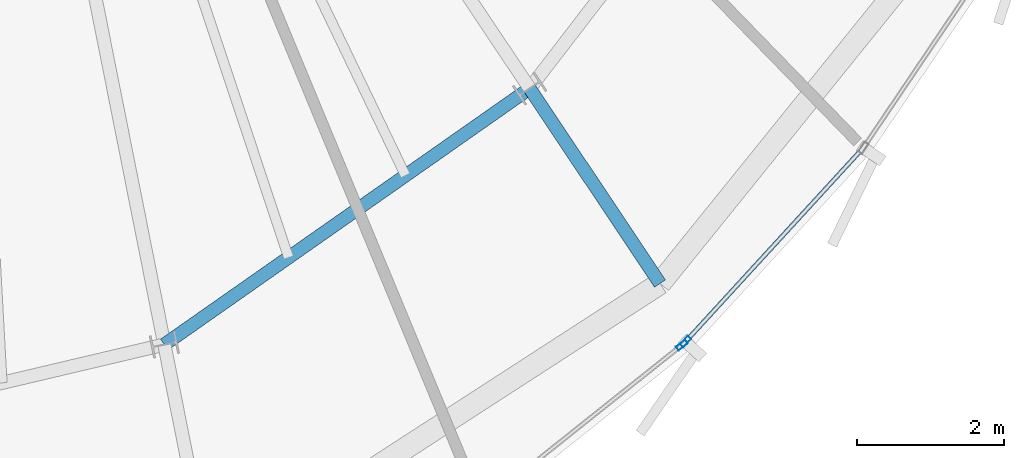
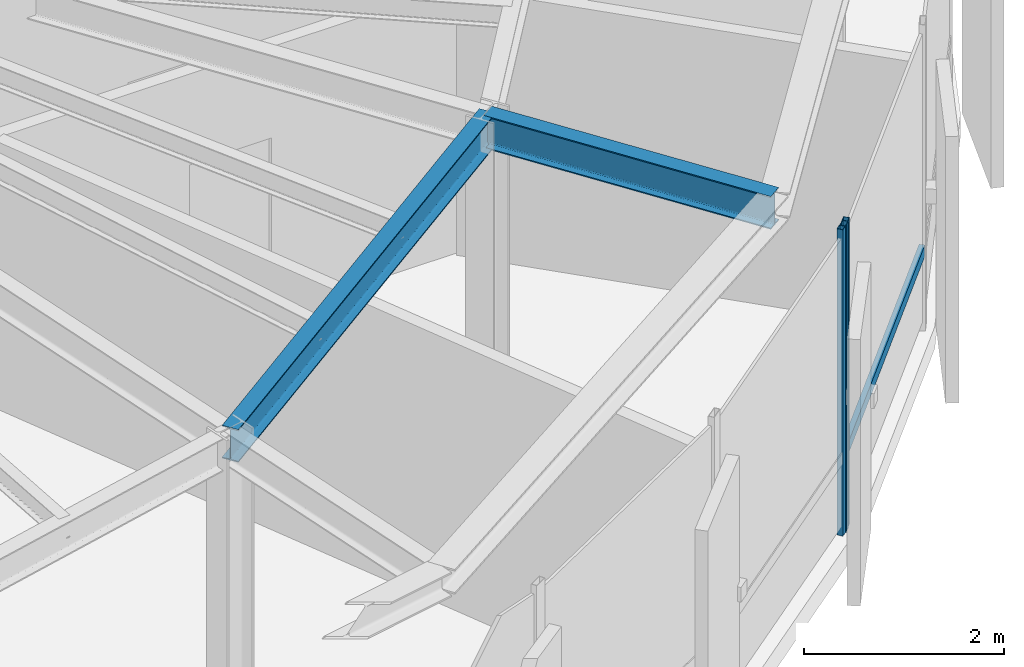
# One storey, part 7 of 27: 3 members, 2 beams, 2 elements without a shape of their own.
"""IFC4 building model written with IfcOpenShell, lengths in metres."""

from ifc_helpers import new_model, si_unit, direction, frame, origin, origin_2d, place, context, subcontext, project, spatial, hollow_rectangle, i_section, extrude, source, transform, mapped, material, layer, layer_set, material_profile, profile_set, type_object, element, aggregate, save


model = new_model("IFC4")

# Units and contexts
model_context = context("Model", 3, precision=1e-05, world=origin(), true_north=direction((0.0, 1.0)))
body_context = subcontext(model_context, "Body", "Model", "MODEL_VIEW")
ifc_project = project(units=[si_unit("LENGTHUNIT", "METRE"), si_unit("AREAUNIT", "SQUARE_METRE"), si_unit("VOLUMEUNIT", "CUBIC_METRE"), si_unit("PLANEANGLEUNIT", "RADIAN"), si_unit("MASSUNIT", "GRAM", prefix="KILO"), si_unit("THERMODYNAMICTEMPERATUREUNIT", "KELVIN")], contexts=[model_context])

# Site, building, storey
site_placement = place(None, origin())
site = spatial("IfcSite", under=ifc_project, at=site_placement, CompositionType="ELEMENT")
building_placement = place(site_placement, origin())
building = spatial("IfcBuilding", under=site, at=building_placement, Name="Kethvar Cultural Tower", CompositionType="ELEMENT")
storey_placement = place(building_placement, frame((0.0, 0.0, 308.300048828125)))
storey = spatial("IfcBuildingStorey", under=building, at=storey_placement, Name="L82", CompositionType="ELEMENT", Elevation=308.300048828125)

# Beams
ifc_material_1 = material(Name="Steel S355J2", Category="steel")
ifc_material_profile_1 = material_profile(ifc_material_1, i_section(OverallWidth=0.179931640625, OverallDepth=0.39990234375, WebThickness=0.008544921875, FlangeThickness=0.013427734375, FilletRadius=0.02099609375, at=origin_2d()), Name="Steel S355J2 — IPE400")
ifc_profile_set_1 = profile_set([ifc_material_profile_1], Name="Steel S355J2 — IPE400")
beam_type = type_object("IfcBeamType", Name="BM-IPE400", PredefinedType="BEAM", material=ifc_profile_set_1)
shared_shape_1 = source(origin(), body_context, "Body", "SweptSolid", [
    extrude(i_section(OverallWidth=0.179931640625, OverallDepth=0.39990234375, WebThickness=0.008544921875, FlangeThickness=0.013427734375, FilletRadius=0.02099609375, at=origin_2d()), origin(), (0.0, 0.0, 1.0), 3.199951171875),
])
beam_1_placement = place(storey_placement, frame((54.885009765625, 15.7001953125, 3.532958984375), z_axis=(0.555492222339, -0.83152173208, 0.0), x_axis=(0.83152173208, 0.555492222339, 0.0)))
element("IfcBeam", 1, at=beam_1_placement, inside=storey, type_object=beam_type, Name="L82 Perimeter Cantilever Beam RC-14", PredefinedType="BEAM", context=body_context, shape_type="MappedRepresentation", body=[
    mapped(shared_shape_1, transform((0.0, 0.0, 0.0), scale=1.0)),
])
shared_shape_2 = source(origin(), body_context, "Body", "SweptSolid", [
    extrude(i_section(OverallWidth=0.179931640625, OverallDepth=0.39990234375, WebThickness=0.008544921875, FlangeThickness=0.013427734375, FilletRadius=0.02099609375, at=origin_2d()), origin(), (0.0, 0.0, 1.0), 6.0859375),
])
beam_2_placement = place(storey_placement, frame((49.901611328125, 12.206787109375, 3.532958984375), z_axis=(0.818843498091, 0.57401683393, 0.0), x_axis=(-0.57401683393, 0.818843498091, 0.0)))
element("IfcBeam", 2, at=beam_2_placement, inside=storey, type_object=beam_type, Name="L82 Column Ring Tie Beam CR-13", PredefinedType="BEAM", context=body_context, shape_type="MappedRepresentation", body=[
    mapped(shared_shape_2, transform((0.0, 0.0, 0.0), scale=1.0)),
])

# Curtain wall, member
ifc_material_2 = material(Name="Aluminium 6063-T6", Category="aluminium")
ifc_layer = layer(ifc_material_2, 0.179931640625, Name="Aluminium 6063-T6", Category="aluminium")
ifc_layer_set = layer_set([ifc_layer], Name="Aluminium 6063-T6 (180 mm)")
curtain_wall_type = type_object("IfcCurtainWallType", Name="CW-SYS-06-CROWN", PredefinedType="NOTDEFINED", material=ifc_layer_set)
curtain_wall_1_placement = place(storey_placement, origin())
curtain_wall_1 = element("IfcCurtainWall", 3, at=curtain_wall_1_placement, inside=storey, type_object=curtain_wall_type, Name="L82 Curtain Wall Run 04", PredefinedType="NOTDEFINED")
ifc_material_profile_2 = material_profile(ifc_material_2, hollow_rectangle(XDim=0.06494140625, YDim=0.159912109375, WallThickness=0.0048828125, at=origin_2d()), Name="Aluminium 6063-T6 — RHS160x65x5")
ifc_profile_set_2 = profile_set([ifc_material_profile_2], Name="Aluminium 6063-T6 — RHS160x65x5")
member_type_1 = type_object("IfcMemberType", Name="CW-SYS-06-CROWN-MUL", PredefinedType="MULLION", material=ifc_profile_set_2)
shared_shape_3 = source(origin(), body_context, "Body", "SweptSolid", [
    extrude(hollow_rectangle(XDim=0.06494140625, YDim=0.159912109375, WallThickness=0.0048828125, at=origin_2d()), origin(), (0.0, 0.0, 1.0), 3.73486328125),
])
member_1_placement = place(storey_placement, frame((56.961669921875, 12.200439453125, 0.0), z_axis=(0.0, 0.0, 1.0), x_axis=(-0.623101802102, 0.782140744507, 0.0)))
member_1 = element("IfcMember", 4, at=member_1_placement, type_object=member_type_1, Name="CW-L82-R04 Mullion 7", PredefinedType="MULLION", context=body_context, shape_type="MappedRepresentation", body=[
    mapped(shared_shape_3, transform((0.0, 0.0, 0.0), scale=1.0)),
])
aggregate(curtain_wall_1, [member_1])

# Curtain wall, members
curtain_wall_2_placement = place(storey_placement, origin())
curtain_wall_2 = element("IfcCurtainWall", 5, at=curtain_wall_2_placement, inside=storey, type_object=curtain_wall_type, Name="L82 Curtain Wall Run 05", PredefinedType="NOTDEFINED")
member_2_placement = place(storey_placement, frame((57.009521484375, 12.2451171875, 0.0), z_axis=(0.0, 0.0, 1.0), x_axis=(-0.737041466427, 0.675847524792, 0.0)))
member_2 = element("IfcMember", 6, at=member_2_placement, type_object=member_type_1, Name="CW-L82-R05 Mullion 1", PredefinedType="MULLION", context=body_context, shape_type="MappedRepresentation", body=[
    mapped(shared_shape_3, transform((0.0, 0.0, 0.0), scale=1.0)),
])
ifc_material_profile_3 = material_profile(ifc_material_2, hollow_rectangle(XDim=0.06005859375, YDim=0.139892578125, WallThickness=0.0048828125, at=origin_2d()), Name="Aluminium 6063-T6 — RHS140x60x5")
ifc_profile_set_3 = profile_set([ifc_material_profile_3], Name="Aluminium 6063-T6 — RHS140x60x5")
member_type_2 = type_object("IfcMemberType", Name="CW-SYS-06-CROWN-TRN", PredefinedType="USERDEFINED", material=ifc_profile_set_3)
shared_shape_4 = source(origin(), body_context, "Body", "SweptSolid", [
    extrude(hollow_rectangle(XDim=0.06005859375, YDim=0.139892578125, WallThickness=0.0048828125, at=origin_2d()), origin(), (0.0, 0.0, 1.0), 3.554931640625),
])
member_3_placement = place(storey_placement, frame((57.0126953125, 12.24853515625, 0.949951171875), z_axis=(0.675849014724, 0.737040100195, 0.0), x_axis=(-0.737040100195, 0.675849014724, 0.0)))
member_3 = element("IfcMember", 7, at=member_3_placement, type_object=member_type_2, Name="CW-L82-R05 Transom 1", ObjectType="TRANSOM", PredefinedType="USERDEFINED", context=body_context, shape_type="MappedRepresentation", body=[
    mapped(shared_shape_4, transform((0.0, 0.0, 0.0), scale=1.0)),
])
aggregate(curtain_wall_2, [member_2, member_3])

save(model, "model.ifc")
